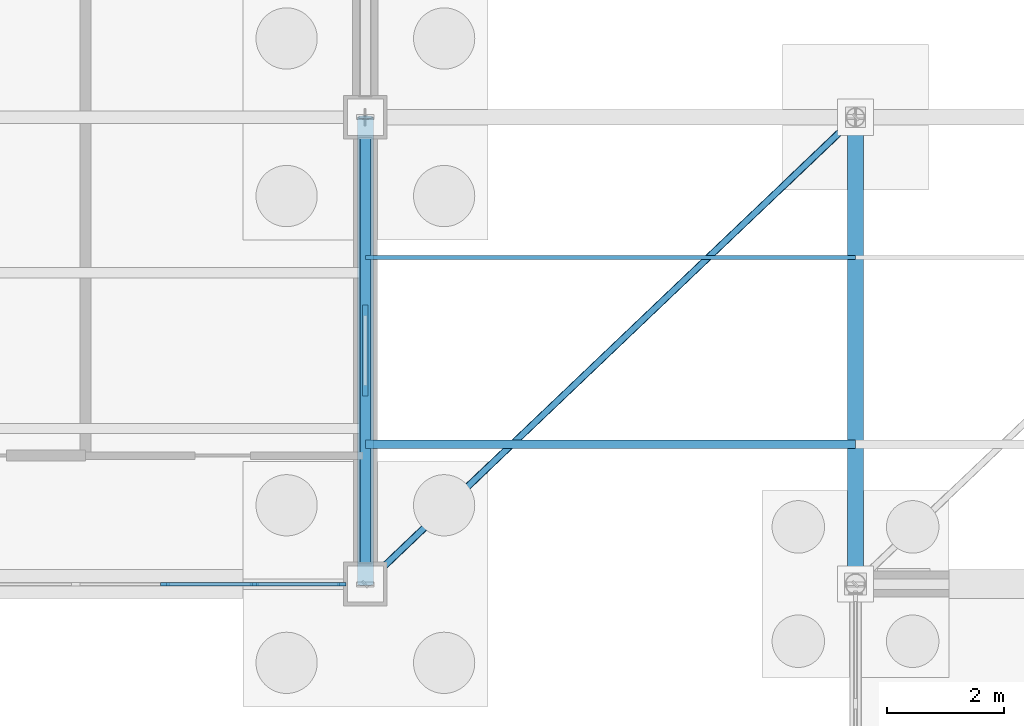
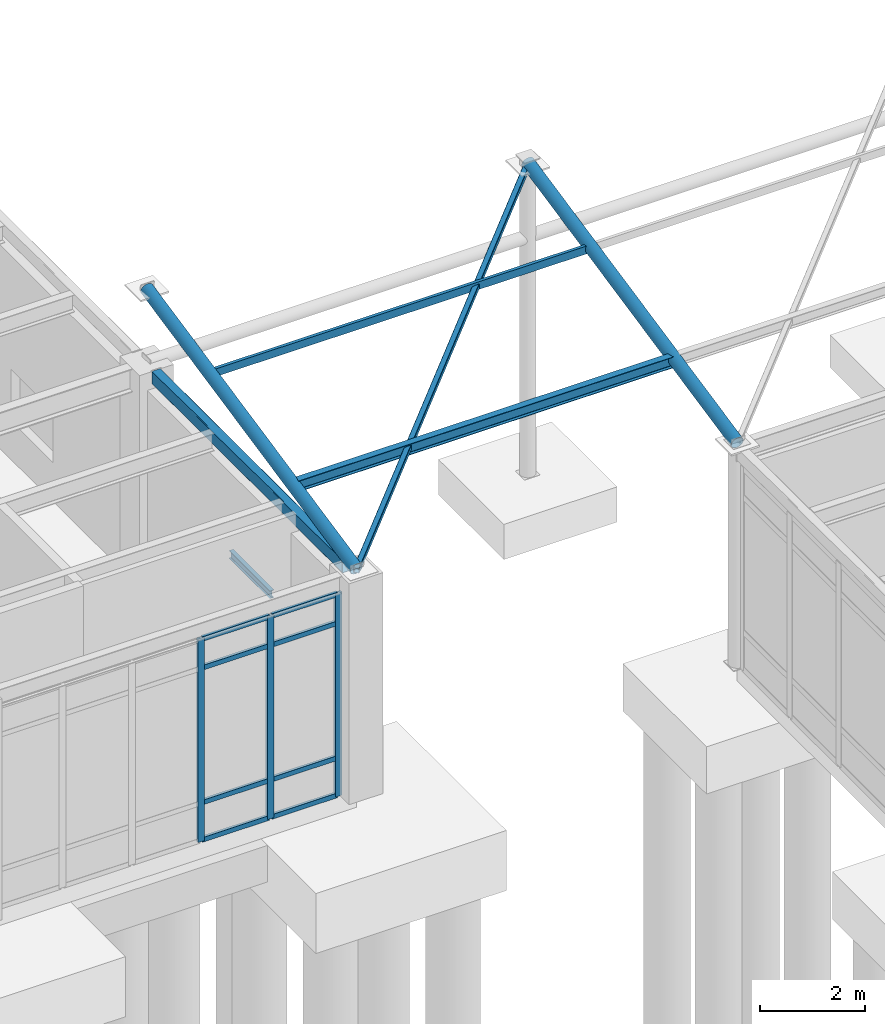
# One storey, part 41 of 138: 16 members, 2 beams, 1 element without a shape of its own.
"""IFC4 building model written with IfcOpenShell, lengths in metres."""

import ifcopenshell
import ifcopenshell.guid

model = None  # the IFC model being written
_history = None  # IfcOwnerHistory: only IFC2X3 demands one
_inside = {}  # id of a spatial element -> (the spatial element, [elements in it])
_under = {}  # id of a project, library or spatial element -> (it, [spatial elements below it])
_declared = {}  # id of a project -> (the project, [libraries it declares])
_typed = {}  # id of a type object -> (the type object, [elements of that type])
_made_of = {}  # id of a material, layer set ... -> (it, [elements and type objects made of it])


def new_model(schema):
    """Start an empty IFC model of exactly this schema.

    Asked for "IFC4X3", IfcOpenShell would pick the latest addendum, in which some entities
    have other attributes; the version numbers below select the first issue.
    IFC2X3 requires an IfcOwnerHistory on every rooted entity: one is made here for all.
    """
    global model, _history
    if schema == "IFC4X3":
        model = ifcopenshell.file(schema_version=(4, 3, 0, 0))
    else:
        model = ifcopenshell.file(schema=schema)
    _inside.clear()
    _under.clear()
    _declared.clear()
    _typed.clear()
    _made_of.clear()
    _history = None
    if model.schema == "IFC2X3":
        org = make("IfcOrganization", Name="unknown")
        user = make(
            "IfcPersonAndOrganization",
            ThePerson=make("IfcPerson", FamilyName="unknown"),
            TheOrganization=org,
        )
        app = make(
            "IfcApplication",
            ApplicationDeveloper=org,
            Version="unknown",
            ApplicationFullName="unknown",
            ApplicationIdentifier="unknown",
        )
        _history = make(
            "IfcOwnerHistory",
            OwningUser=user,
            OwningApplication=app,
            ChangeAction="ADDED",
            CreationDate=0,
        )
    return model


def make(cls, **values):
    """One entity of the class cls with the attributes given. An attribute that is None is left unset."""
    return model.create_entity(
        cls, **{name: value for name, value in values.items() if value is not None}
    )


def rooted(cls, **values):
    """An entity with a GlobalId (a new one), such as an element, a storey or a relation."""
    return make(cls, GlobalId=ifcopenshell.guid.new(), OwnerHistory=_history, **values)


def si_unit(unit_type, name, prefix=None):
    """IfcSIUnit, for example si_unit("LENGTHUNIT", "METRE", prefix="MILLI")."""
    return make("IfcSIUnit", UnitType=unit_type, Prefix=prefix, Name=name)


def assignment(units):
    """IfcUnitAssignment: the units of a project."""
    return None if units is None else make("IfcUnitAssignment", Units=units)


def point(xyz):
    """IfcCartesianPoint."""
    return None if xyz is None else make("IfcCartesianPoint", Coordinates=xyz)


def direction(xyz):
    """IfcDirection."""
    return None if xyz is None else make("IfcDirection", DirectionRatios=xyz)


def frame(location, z_axis=None, x_axis=None):
    """IfcAxis2Placement3D, a coordinate frame: its origin and axes. An axis left out is left unset."""
    return make(
        "IfcAxis2Placement3D",
        Location=point(location),
        Axis=direction(z_axis),
        RefDirection=direction(x_axis),
    )


def frame_2d(location, x_axis=None):
    """IfcAxis2Placement2D, a coordinate frame in the plane: its origin and x axis."""
    return make(
        "IfcAxis2Placement2D", Location=point(location), RefDirection=direction(x_axis)
    )


def origin():
    """The frame at (0, 0, 0) with its axes left unset."""
    return frame((0.0, 0.0, 0.0))


def origin_2d():
    """The frame at (0, 0) in the plane with its x axis left unset."""
    return frame_2d((0.0, 0.0))


def place(relative_to, where):
    """IfcLocalPlacement: puts the frame where relative to a parent placement (None: the world)."""
    return make(
        "IfcLocalPlacement", PlacementRelTo=relative_to, RelativePlacement=where
    )


def context(
    kind, dimensions, precision=None, world=None, true_north=None, identifier=None
):
    """IfcGeometricRepresentationContext, for example the 3D "Model" context."""
    return make(
        "IfcGeometricRepresentationContext",
        ContextIdentifier=identifier,
        ContextType=kind,
        CoordinateSpaceDimension=dimensions,
        Precision=precision,
        WorldCoordinateSystem=world,
        TrueNorth=true_north,
    )


def subcontext(parent, identifier, kind, view, scale=None):
    """IfcGeometricRepresentationSubContext, for example "Body" below "Model"."""
    return make(
        "IfcGeometricRepresentationSubContext",
        ContextIdentifier=identifier,
        ContextType=kind,
        ParentContext=parent,
        TargetScale=scale,
        TargetView=view,
    )


def project(units=None, contexts=None):
    """IfcProject with its units and contexts."""
    return rooted(
        "IfcProject",
        Name="project",
        RepresentationContexts=contexts,
        UnitsInContext=assignment(units),
    )


def spatial(cls, under=None, at=None, **own):
    """A site, building, storey or space (cls), placed at a placement, below another one or the project."""
    s = rooted(cls, ObjectPlacement=at, **own)
    if under is not None:
        _under.setdefault(under.id(), (under, []))[1].append(s)
    return s


def profile(cls, at=None, kind="AREA", **sizes):
    """A parametric profile (cls). Its sizes go by their IFC names, for example OverallWidth=200.0."""
    return make(cls, ProfileType=kind, Position=at, **sizes)


def rectangle(**sizes):
    """IfcRectangleProfileDef."""
    return profile("IfcRectangleProfileDef", **sizes)


def hollow_rectangle(**sizes):
    """IfcRectangleHollowProfileDef."""
    return profile("IfcRectangleHollowProfileDef", **sizes)


def hollow_circle(**sizes):
    """IfcCircleHollowProfileDef."""
    return profile("IfcCircleHollowProfileDef", **sizes)


def i_section(**sizes):
    """IfcIShapeProfileDef."""
    return profile("IfcIShapeProfileDef", **sizes)


def u_section(**sizes):
    """IfcUShapeProfileDef."""
    return profile("IfcUShapeProfileDef", **sizes)


def extrude(swept, where, along, depth):
    """IfcExtrudedAreaSolid: the profile swept, set in the frame where, extruded along a direction by depth."""
    return make(
        "IfcExtrudedAreaSolid",
        SweptArea=swept,
        Position=where,
        ExtrudedDirection=direction(along),
        Depth=depth,
    )


def shape(context_of_items, identifier, shape_type, items):
    """IfcShapeRepresentation: the items that make up one representation, for example the "Body"."""
    return make(
        "IfcShapeRepresentation",
        ContextOfItems=context_of_items,
        RepresentationIdentifier=identifier,
        RepresentationType=shape_type,
        Items=items,
    )


def material(Name=None, Category=None):
    """IfcMaterial."""
    return make("IfcMaterial", Name=Name, Category=Category)


def layer(
    of_material, thickness, ventilated=None, Name=None, Category=None, Priority=None
):
    """IfcMaterialLayer: one layer of a wall or slab, of a material (None: an air gap)."""
    return make(
        "IfcMaterialLayer",
        Material=of_material,
        LayerThickness=thickness,
        IsVentilated=ventilated,
        Name=Name,
        Category=Category,
        Priority=Priority,
    )


def layer_set(layers, Name=None):
    """IfcMaterialLayerSet."""
    return make("IfcMaterialLayerSet", MaterialLayers=layers, LayerSetName=Name)


def material_profile(
    of_material, cross_section, Name=None, Category=None, Priority=None
):
    """IfcMaterialProfile: a cross section and its material."""
    return make(
        "IfcMaterialProfile",
        Name=Name,
        Material=of_material,
        Profile=cross_section,
        Priority=Priority,
        Category=Category,
    )


def profile_set(profiles, Name=None, composite=None):
    """IfcMaterialProfileSet."""
    return make(
        "IfcMaterialProfileSet",
        Name=Name,
        MaterialProfiles=profiles,
        CompositeProfile=composite,
    )


def made_of(thing, what):
    """Note that an element or type object is made of a material, layer set ...; save() writes the relation."""
    if what is not None:
        _made_of.setdefault(what.id(), (what, []))[1].append(thing)
    return thing


def type_object(cls, material=None, **own):
    """A type object (cls), such as IfcWallType, which elements share."""
    return made_of(rooted(cls, **own), material)


def element(
    cls,
    number,
    at=None,
    inside=None,
    cuts=None,
    type_object=None,
    material=None,
    context=None,
    identifier="Body",
    shape_type=None,
    held_by="IfcProductDefinitionShape",
    body=None,
    shapes=None,
    **own,
):
    """One element of the class cls, such as IfcWall. Its Tag is "e" and its number.

    at: its placement. inside: the storey or other place that contains it. cuts: it is an
    opening in that element (IfcRelVoidsElement). A single representation is given by context,
    identifier, shape_type and body (its items); several are given by shapes. held_by: the class
    of the entity that holds the representations. save() writes the other relations.
    """
    e = rooted(cls, Tag="e%d" % number, ObjectPlacement=at, **own)
    if body is not None:
        shapes = [shape(context, identifier, shape_type, body)]
    if shapes is not None:
        e.Representation = make(held_by, Representations=shapes)
    if inside is not None:
        _inside.setdefault(inside.id(), (inside, []))[1].append(e)
    if cuts is not None:
        rooted(
            "IfcRelVoidsElement", RelatingBuildingElement=cuts, RelatedOpeningElement=e
        )
    if type_object is not None:
        _typed.setdefault(type_object.id(), (type_object, []))[1].append(e)
    return made_of(e, material)


def aggregate(whole, parts):
    """IfcRelAggregates: a whole, such as a stair, and the parts it consists of."""
    return rooted("IfcRelAggregates", RelatingObject=whole, RelatedObjects=parts)


def save(model, path):
    """Write the relations noted so far, then the file.

    IfcRelAggregates (storeys below a building ...), IfcRelContainedInSpatialStructure (elements
    in a storey), IfcRelDefinesByType, IfcRelAssociatesMaterial and IfcRelDeclares: one each for
    every whole, place, type object, material and project.
    """
    for whole, parts in _under.values():
        aggregate(whole, parts)
    for where, things in _inside.values():
        rooted(
            "IfcRelContainedInSpatialStructure",
            RelatedElements=things,
            RelatingStructure=where,
        )
    for kind, things in _typed.values():
        rooted("IfcRelDefinesByType", RelatedObjects=things, RelatingType=kind)
    for what, things in _made_of.values():
        rooted("IfcRelAssociatesMaterial", RelatedObjects=things, RelatingMaterial=what)
    for by, libraries in _declared.values():
        rooted("IfcRelDeclares", RelatingContext=by, RelatedDefinitions=libraries)
    model.write(path)


model = new_model("IFC4")

# Units and contexts
model_context = context("Model", 3, precision=1e-05, world=origin(), true_north=direction((0.0, 1.0)))
body_context = subcontext(model_context, "Body", "Model", "MODEL_VIEW")
ifc_project = project(units=[si_unit("LENGTHUNIT", "METRE"), si_unit("AREAUNIT", "SQUARE_METRE"), si_unit("VOLUMEUNIT", "CUBIC_METRE"), si_unit("PLANEANGLEUNIT", "RADIAN"), si_unit("MASSUNIT", "GRAM", prefix="KILO")], contexts=[model_context])

# Site, building, storey
site_placement = place(None, origin())
site = spatial("IfcSite", under=ifc_project, at=site_placement, CompositionType="ELEMENT")
building_placement = place(site_placement, origin())
building = spatial("IfcBuilding", under=site, at=building_placement, Name="Kranzveld Transit Interchange", CompositionType="ELEMENT")
storey_placement = place(building_placement, origin())
storey = spatial("IfcBuildingStorey", under=building, at=storey_placement, Name="L00", CompositionType="ELEMENT", Elevation=0.0)

# Members
ifc_material_1 = material(Name="Steel S355JR", Category="steel")
ifc_material_profile_1 = material_profile(ifc_material_1, hollow_rectangle(XDim=0.1201171875, YDim=0.1201171875, WallThickness=0.00634765625, InnerFilletRadius=0.009521484375, OuterFilletRadius=0.015869140625, at=origin_2d()), Name="SHS 120x120x6.3")
ifc_profile_set_1 = profile_set([ifc_material_profile_1], Name="Steel S355JR")
member_type_1 = type_object("IfcMemberType", Name="Canopy Brace SHS 120x120x6.3 S355JR", PredefinedType="BRACE", material=ifc_profile_set_1)
member_1_placement = place(storey_placement, frame((50.39990234375, 88.0, 5.10009765625), z_axis=(0.716667620564, 0.682528688657, 0.143325192464), x_axis=(-0.689648865971, 0.724143937118, 0.0)))
element("IfcMember", 1, at=member_1_placement, inside=storey, type_object=member_type_1, Name="Forecourt Canopy Plan Brace 07", PredefinedType="BRACE", context=body_context, shape_type="SweptSolid", body=[
    extrude(hollow_rectangle(XDim=0.1201171875, YDim=0.1201171875, WallThickness=0.00634765625, InnerFilletRadius=0.009521484375, OuterFilletRadius=0.015869140625, at=origin_2d()), origin(), (0.0, 0.0, 1.0), 11.72119140625),
])
ifc_material_2 = material(Name="Steel S355JR", Category="steel")
ifc_material_profile_2 = material_profile(ifc_material_2, i_section(OverallWidth=0.146484375, OverallDepth=0.256103515625, WebThickness=0.00634765625, FlangeThickness=0.010986328125, FilletRadius=0.007568359375, at=origin_2d()), Name="UB 254x146x37")
ifc_profile_set_2 = profile_set([ifc_material_profile_2], Name="Steel S355JR")
member_type_2 = type_object("IfcMemberType", Name="Canopy Purlin UB 254x146x37 S355JR", PredefinedType="PURLIN", material=ifc_profile_set_2)
member_2_placement = place(storey_placement, frame((50.39990234375, 90.39990234375, 5.6240234375), z_axis=(1.0, 0.0, 0.0), x_axis=(0.0, 1.0, 0.0)))
element("IfcMember", 2, at=member_2_placement, inside=storey, type_object=member_type_2, Name="Forecourt Canopy Purlin 07.1", PredefinedType="PURLIN", context=body_context, shape_type="SweptSolid", body=[
    extrude(i_section(OverallWidth=0.146484375, OverallDepth=0.256103515625, WebThickness=0.00634765625, FlangeThickness=0.010986328125, FilletRadius=0.007568359375, at=origin_2d()), origin(), (0.0, 0.0, 1.0), 8.400146484375),
])
ifc_material_3 = material(Name="Steel S355JR", Category="steel")
ifc_material_profile_3 = material_profile(ifc_material_3, hollow_circle(Radius=0.136474609375, WallThickness=0.010009765625, at=origin_2d()), Name="CHS 273x10")
ifc_profile_set_3 = profile_set([ifc_material_profile_3], Name="Steel S355JR")
member_type_3 = type_object("IfcMemberType", Name="Canopy Raking Strut CHS 273x10 S355JR", PredefinedType="STRUT", material=ifc_profile_set_3)
for number, where, z_axis, x_axis, name in (
    (3, (50.39990234375, 88.0, 5.139892578125), (0.0, 0.978649171378, 0.205537829511), (-1.0, 0.0, 0.0), "Forecourt Canopy Strut 07"),
    (4, (58.800048828125, 88.0, 5.139892578125), (0.0, 0.978649171378, 0.205537829511), (-1.0, 0.0, 0.0), "Forecourt Canopy Strut 08"),
):
    element("IfcMember", number, at=place(storey_placement, frame(where, z_axis=z_axis, x_axis=x_axis)), inside=storey, type_object=member_type_3, Name=name, PredefinedType="STRUT", context=body_context, shape_type="SweptSolid", body=[
        extrude(hollow_circle(Radius=0.136474609375, WallThickness=0.010009765625, at=origin_2d()), origin(), (0.0, 0.0, 1.0), 8.174560546875),
    ])

# Curtain wall, members
ifc_material_4 = material(Name="Bronze-anodised thermally broken aluminium", Category="aluminium")
ifc_layer = layer(ifc_material_4, 0.14990234375)
ifc_layer_set = layer_set([ifc_layer], Name="Bronze-anodised thermally broken aluminium")
curtain_wall_type = type_object("IfcCurtainWallType", Name="Public Passage Clerestory Screen CW-4", PredefinedType="USERDEFINED", material=ifc_layer_set)
curtain_wall_placement = place(storey_placement, origin())
curtain_wall = element("IfcCurtainWall", 5, at=curtain_wall_placement, inside=storey, type_object=curtain_wall_type, Name="L00 Curtain Wall 06/M-07/M", ObjectType="CURTAIN WALL", PredefinedType="USERDEFINED")
ifc_material_5 = material(Name="Bronze-anodised thermally broken aluminium", Category="aluminium")
ifc_material_profile_4 = material_profile(ifc_material_5, rectangle(XDim=0.06005859375, YDim=0.14990234375, at=origin_2d()), Name="ALU MULLION 60x150")
ifc_profile_set_4 = profile_set([ifc_material_profile_4], Name="Bronze-anodised thermally broken aluminium")
member_type_4 = type_object("IfcMemberType", Name="Curtain Wall Mullion 60x150 Alu", PredefinedType="MULLION", material=ifc_profile_set_4)
member_3_placement = place(storey_placement, frame((46.965087890625, 88.0, 0.0), z_axis=(0.0, 0.0, 1.0), x_axis=(0.0, 1.0, 0.0)))
member_3 = element("IfcMember", 6, at=member_3_placement, type_object=member_type_4, Name="CW-4 mullion 4", PredefinedType="MULLION", context=body_context, shape_type="SweptSolid", body=[
    extrude(rectangle(XDim=0.06005859375, YDim=0.14990234375, at=origin_2d()), origin(), (0.0, 0.0, 1.0), 4.740478515625),
])
member_4_placement = place(storey_placement, frame((48.4951171875, 88.0, 0.0), z_axis=(0.0, 0.0, 1.0), x_axis=(0.0, 1.0, 0.0)))
member_4 = element("IfcMember", 7, at=member_4_placement, type_object=member_type_4, Name="CW-4 mullion 5", PredefinedType="MULLION", context=body_context, shape_type="SweptSolid", body=[
    extrude(rectangle(XDim=0.06005859375, YDim=0.14990234375, at=origin_2d()), origin(), (0.0, 0.0, 1.0), 4.740478515625),
])
member_5_placement = place(storey_placement, frame((49.9951171875, 88.0, 0.0), z_axis=(0.0, 0.0, 1.0), x_axis=(0.0, 1.0, 0.0)))
member_5 = element("IfcMember", 8, at=member_5_placement, type_object=member_type_4, Name="CW-4 mullion 6", PredefinedType="MULLION", context=body_context, shape_type="SweptSolid", body=[
    extrude(rectangle(XDim=0.06005859375, YDim=0.14990234375, at=origin_2d()), origin(), (0.0, 0.0, 1.0), 4.740478515625),
])
ifc_material_6 = material(Name="Bronze-anodised thermally broken aluminium", Category="aluminium")
ifc_material_profile_5 = material_profile(ifc_material_6, rectangle(XDim=0.06005859375, YDim=0.110107421875, at=origin_2d()), Name="ALU TRANSOM 60x110")
ifc_profile_set_5 = profile_set([ifc_material_profile_5], Name="Bronze-anodised thermally broken aluminium")
member_type_5 = type_object("IfcMemberType", Name="Curtain Wall Transom 60x110 Alu", PredefinedType="USERDEFINED", material=ifc_profile_set_5)
member_6_placement = place(storey_placement, frame((46.9951171875, 88.0, 0.030029296875), z_axis=(1.0, 0.0, 0.0), x_axis=(0.0, 1.0, 0.0)))
member_6 = element("IfcMember", 9, at=member_6_placement, type_object=member_type_5, Name="CW-4 transom 4.1", ObjectType="TRANSOM", PredefinedType="USERDEFINED", context=body_context, shape_type="SweptSolid", body=[
    extrude(rectangle(XDim=0.06005859375, YDim=0.110107421875, at=origin_2d()), origin(), (0.0, 0.0, 1.0), 1.469970703125),
])
member_7_placement = place(storey_placement, frame((46.9951171875, 88.0, 0.89990234375), z_axis=(1.0, 0.0, 0.0), x_axis=(0.0, 1.0, 0.0)))
member_7 = element("IfcMember", 10, at=member_7_placement, type_object=member_type_5, Name="CW-4 transom 4.2", ObjectType="TRANSOM", PredefinedType="USERDEFINED", context=body_context, shape_type="SweptSolid", body=[
    extrude(rectangle(XDim=0.06005859375, YDim=0.110107421875, at=origin_2d()), origin(), (0.0, 0.0, 1.0), 1.469970703125),
])
member_8_placement = place(storey_placement, frame((46.9951171875, 88.0, 4.04052734375), z_axis=(1.0, 0.0, 0.0), x_axis=(0.0, 1.0, 0.0)))
member_8 = element("IfcMember", 11, at=member_8_placement, type_object=member_type_5, Name="CW-4 transom 4.3", ObjectType="TRANSOM", PredefinedType="USERDEFINED", context=body_context, shape_type="SweptSolid", body=[
    extrude(rectangle(XDim=0.06005859375, YDim=0.110107421875, at=origin_2d()), origin(), (0.0, 0.0, 1.0), 1.469970703125),
])
member_9_placement = place(storey_placement, frame((46.9951171875, 88.0, 4.710693359375), z_axis=(1.0, 0.0, 0.0), x_axis=(0.0, 1.0, 0.0)))
member_9 = element("IfcMember", 12, at=member_9_placement, type_object=member_type_5, Name="CW-4 transom 4.4", ObjectType="TRANSOM", PredefinedType="USERDEFINED", context=body_context, shape_type="SweptSolid", body=[
    extrude(rectangle(XDim=0.06005859375, YDim=0.110107421875, at=origin_2d()), origin(), (0.0, 0.0, 1.0), 1.469970703125),
])
member_10_placement = place(storey_placement, frame((48.52490234375, 88.0, 0.030029296875), z_axis=(1.0, 0.0, 0.0), x_axis=(0.0, 1.0, 0.0)))
member_10 = element("IfcMember", 13, at=member_10_placement, type_object=member_type_5, Name="CW-4 transom 5.1", ObjectType="TRANSOM", PredefinedType="USERDEFINED", context=body_context, shape_type="SweptSolid", body=[
    extrude(rectangle(XDim=0.06005859375, YDim=0.110107421875, at=origin_2d()), origin(), (0.0, 0.0, 1.0), 1.440185546875),
])
member_11_placement = place(storey_placement, frame((48.52490234375, 88.0, 0.89990234375), z_axis=(1.0, 0.0, 0.0), x_axis=(0.0, 1.0, 0.0)))
member_11 = element("IfcMember", 14, at=member_11_placement, type_object=member_type_5, Name="CW-4 transom 5.2", ObjectType="TRANSOM", PredefinedType="USERDEFINED", context=body_context, shape_type="SweptSolid", body=[
    extrude(rectangle(XDim=0.06005859375, YDim=0.110107421875, at=origin_2d()), origin(), (0.0, 0.0, 1.0), 1.440185546875),
])
member_12_placement = place(storey_placement, frame((48.52490234375, 88.0, 4.04052734375), z_axis=(1.0, 0.0, 0.0), x_axis=(0.0, 1.0, 0.0)))
member_12 = element("IfcMember", 15, at=member_12_placement, type_object=member_type_5, Name="CW-4 transom 5.3", ObjectType="TRANSOM", PredefinedType="USERDEFINED", context=body_context, shape_type="SweptSolid", body=[
    extrude(rectangle(XDim=0.06005859375, YDim=0.110107421875, at=origin_2d()), origin(), (0.0, 0.0, 1.0), 1.440185546875),
])
member_13_placement = place(storey_placement, frame((48.52490234375, 88.0, 4.710693359375), z_axis=(1.0, 0.0, 0.0), x_axis=(0.0, 1.0, 0.0)))
member_13 = element("IfcMember", 16, at=member_13_placement, type_object=member_type_5, Name="CW-4 transom 5.4", ObjectType="TRANSOM", PredefinedType="USERDEFINED", context=body_context, shape_type="SweptSolid", body=[
    extrude(rectangle(XDim=0.06005859375, YDim=0.110107421875, at=origin_2d()), origin(), (0.0, 0.0, 1.0), 1.440185546875),
])
aggregate(curtain_wall, [member_3, member_4, member_5, member_6, member_7, member_8, member_9, member_10, member_11, member_12, member_13])

# Member
ifc_material_7 = material(Name="Steel S355JR", Category="steel")
ifc_material_profile_6 = material_profile(ifc_material_7, u_section(Depth=0.179931640625, FlangeWidth=0.070068359375, WebThickness=0.007080078125, FlangeThickness=0.010986328125, FilletRadius=0.010009765625, at=origin_2d()), Name="PFC 180x70x22")
ifc_profile_set_6 = profile_set([ifc_material_profile_6], Name="Steel S355JR")
member_type_6 = type_object("IfcMemberType", Name="Eaves Purlin PFC 180x70x22 S355JR", PredefinedType="PURLIN", material=ifc_profile_set_6)
member_14_placement = place(storey_placement, frame((50.39990234375, 93.60009765625, 6.2958984375), z_axis=(1.0, 0.0, 0.0), x_axis=(0.0, 1.0, 0.0)))
element("IfcMember", 17, at=member_14_placement, inside=storey, type_object=member_type_6, Name="Forecourt Canopy Purlin 07.2", PredefinedType="PURLIN", context=body_context, shape_type="SweptSolid", body=[
    extrude(u_section(Depth=0.179931640625, FlangeWidth=0.070068359375, WebThickness=0.007080078125, FlangeThickness=0.010986328125, FilletRadius=0.010009765625, at=origin_2d()), origin(), (0.0, 0.0, 1.0), 8.400146484375),
])

# Beams
ifc_material_8 = material(Name="Steel S355JR", Category="steel")
ifc_material_profile_7 = material_profile(ifc_material_8, hollow_rectangle(XDim=0.199951171875, YDim=0.300048828125, WallThickness=0.010009765625, InnerFilletRadius=0.014892578125, OuterFilletRadius=0.02490234375, at=origin_2d()), Name="RHS 300x200x10")
ifc_profile_set_7 = profile_set([ifc_material_profile_7], Name="Steel S355JR")
beam_type_1 = type_object("IfcBeamType", Name="Edge Spandrel RHS 300x200x10 S355JR", PredefinedType="SPANDREL", material=ifc_profile_set_7)
beam_1_placement = place(storey_placement, frame((50.39990234375, 88.364990234375, 5.0), z_axis=(0.0, 1.0, 0.0), x_axis=(-1.0, 0.0, 0.0)))
element("IfcBeam", 18, at=beam_1_placement, inside=storey, type_object=beam_type_1, Name="L00 Girder 07/M-N", PredefinedType="SPANDREL", context=body_context, shape_type="SweptSolid", body=[
    extrude(hollow_rectangle(XDim=0.199951171875, YDim=0.300048828125, WallThickness=0.010009765625, InnerFilletRadius=0.014892578125, OuterFilletRadius=0.02490234375, at=origin_2d()), origin(), (0.0, 0.0, 1.0), 7.27001953125),
])
ifc_material_9 = material(Name="Steel S355JR", Category="steel")
ifc_material_profile_8 = material_profile(ifc_material_9, i_section(OverallWidth=0.091064453125, OverallDepth=0.179931640625, WebThickness=0.00537109375, FlangeThickness=0.008056640625, FilletRadius=0.009033203125, at=origin_2d()), Name="IPE 180")
ifc_profile_set_8 = profile_set([ifc_material_profile_8], Name="Steel S355JR")
beam_type_2 = type_object("IfcBeamType", Name="Opening Lintel IPE 180 S355JR", PredefinedType="LINTEL", material=ifc_profile_set_8)
beam_2_placement = place(storey_placement, frame((50.39990234375, 91.219970703125, 2.594970703125), z_axis=(0.0, 1.0, 0.0), x_axis=(-1.0, 0.0, 0.0)))
element("IfcBeam", 19, at=beam_2_placement, inside=storey, type_object=beam_type_2, Name="L00 Window Lintel 019", PredefinedType="LINTEL", context=body_context, shape_type="SweptSolid", body=[
    extrude(i_section(OverallWidth=0.091064453125, OverallDepth=0.179931640625, WebThickness=0.00537109375, FlangeThickness=0.008056640625, FilletRadius=0.009033203125, at=origin_2d()), origin(), (0.0, 0.0, 1.0), 1.56005859375),
])

save(model, "model.ifc")
